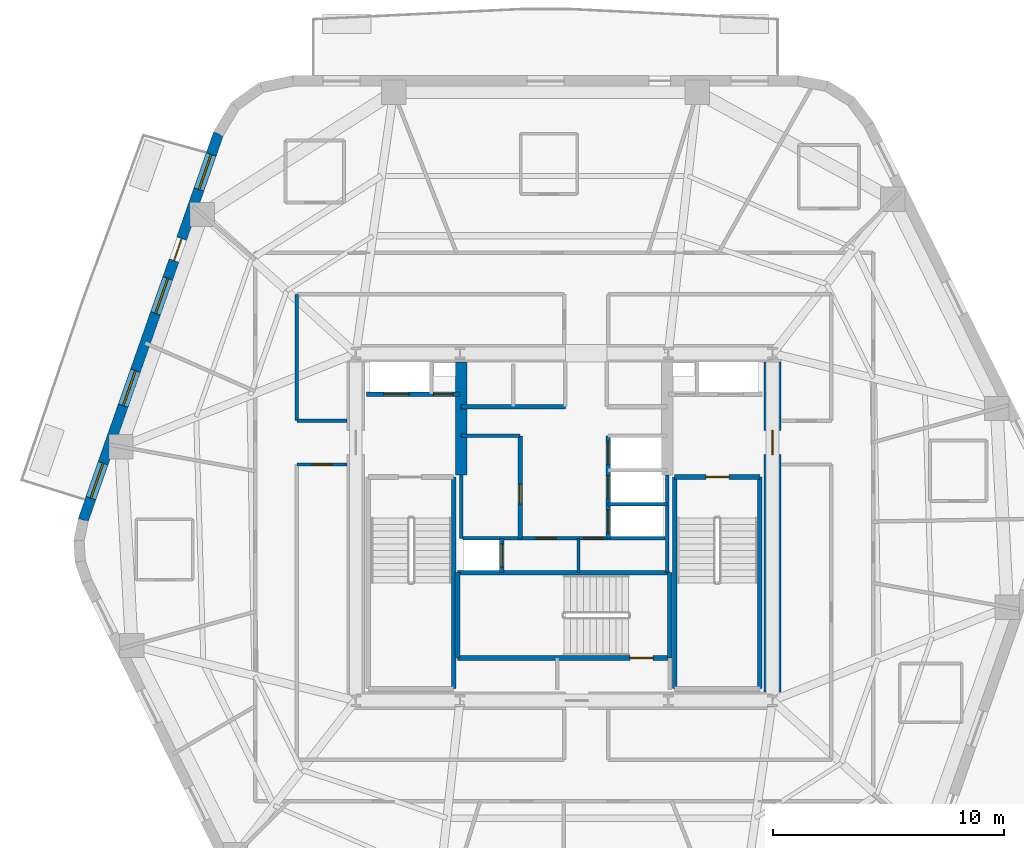
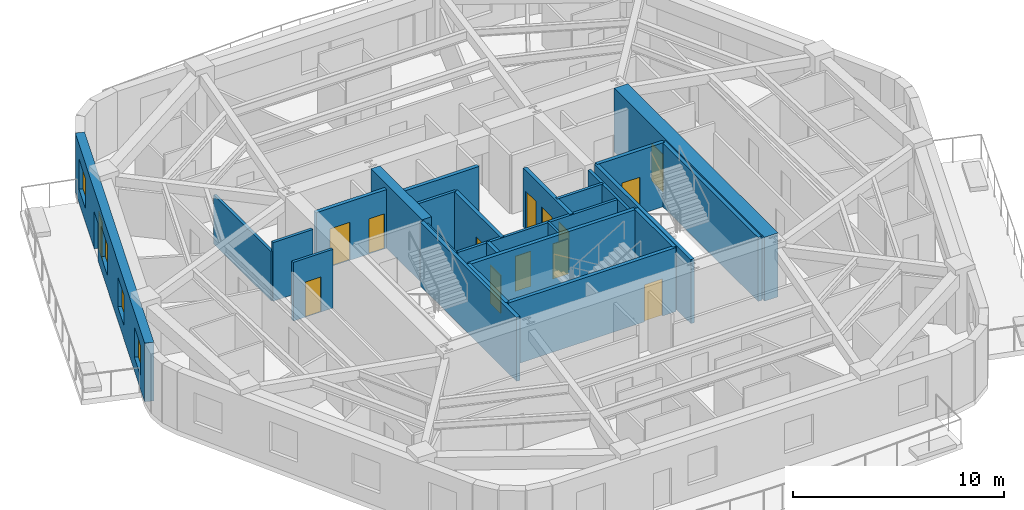
# One storey, part 4 of 11: 25 walls, 14 doors, 4 windows, 18 openings.
"""IFC4 building model written with IfcOpenShell, lengths in metres."""

from ifc_helpers import new_model, si_unit, direction, frame, frame_2d, origin, place, context, subcontext, project, spatial, rectangle, extrude, material, layer, layer_set, type_object, element, fill, save


model = new_model("IFC4")

# Units and contexts
model_context = context("Model", 3, precision=1e-05, world=origin(), true_north=direction((0.0, 1.0)))
body_context = subcontext(model_context, "Body", "Model", "MODEL_VIEW")
ifc_project = project(units=[si_unit("LENGTHUNIT", "METRE"), si_unit("AREAUNIT", "SQUARE_METRE"), si_unit("VOLUMEUNIT", "CUBIC_METRE"), si_unit("PLANEANGLEUNIT", "RADIAN"), si_unit("MASSUNIT", "GRAM", prefix="KILO")], contexts=[model_context])

# Site, building, storey
site_placement = place(None, origin())
site = spatial("IfcSite", under=ifc_project, at=site_placement, CompositionType="ELEMENT")
building_placement = place(site_placement, origin())
building = spatial("IfcBuilding", under=site, at=building_placement, Name="Kilnhurst Terrace Hotel", CompositionType="ELEMENT")
storey_placement = place(building_placement, frame((0.0, 0.0, 194.10009765625)))
storey = spatial("IfcBuildingStorey", under=building, at=storey_placement, Name="L48", CompositionType="ELEMENT", Elevation=194.10009765625)

# Wall, openings, door, windows
ifc_material_1 = material(Name="Precast concrete C40/50", Category="concrete")
ifc_layer_1 = layer(ifc_material_1, 0.449951171875, Name="Precast concrete C40/50")
ifc_layer_set_1 = layer_set([ifc_layer_1], Name="Precast concrete C40/50")
wall_type_1 = type_object("IfcWallType", Name="WL-BRK-450", PredefinedType="SOLIDWALL", material=ifc_layer_set_1)
wall_1_placement = place(storey_placement, frame((-14.936767578125, 16.993408203125, 0.0), z_axis=(0.0, 0.0, 1.0), x_axis=(-0.330431575061, -0.943829949834, 0.0)))
wall_1 = element("IfcWall", 1, at=wall_1_placement, inside=storey, type_object=wall_type_1, Name="L48 Exterior Brick Facade Wall F5", PredefinedType="SOLIDWALL", context=body_context, shape_type="SweptSolid", body=[
    extrude(rectangle(XDim=17.68896484375, YDim=0.449951171875, at=frame_2d((8.844482421875, 0.0))), origin(), (0.0, 0.0, 1.0), 3.39990234375),
])
opening_1_placement = place(wall_1_placement, frame((4.806884765625, 0.0, 0.0)))
opening_1 = element("IfcOpeningElement", 2, at=opening_1_placement, cuts=wall_1, Name="Opening BD-1000", PredefinedType="OPENING", context=body_context, shape_type="SweptSolid", body=[
    extrude(rectangle(XDim=1.0, YDim=2.14990234375, at=frame_2d((0.5, 1.074951171875))), frame((0.0, 0.23486328125, 0.0), z_axis=(0.0, -1.0, 0.0), x_axis=(1.0, 0.0, 0.0)), (0.0, 0.0, 1.0), 0.469970703125),
])
opening_2_placement = place(wall_1_placement, frame((0.949951171875, 0.0, 0.800048828125)))
opening_2 = element("IfcOpeningElement", 3, at=opening_2_placement, cuts=wall_1, Name="Opening W-05", PredefinedType="OPENING", context=body_context, shape_type="SweptSolid", body=[
    extrude(rectangle(XDim=1.60009765625, YDim=1.75, at=frame_2d((0.800048828125, 0.875))), frame((0.0, 0.23486328125, 0.0), z_axis=(0.0, -1.0, 0.0), x_axis=(1.0, 0.0, 0.0)), (0.0, 0.0, 1.0), 0.469970703125),
])
opening_3_placement = place(wall_1_placement, frame((6.623046875, 0.0, 0.800048828125)))
opening_3 = element("IfcOpeningElement", 4, at=opening_3_placement, cuts=wall_1, Name="Opening W-05", PredefinedType="OPENING", context=body_context, shape_type="SweptSolid", body=[
    extrude(rectangle(XDim=1.60009765625, YDim=1.75, at=frame_2d((0.800048828125, 0.875))), frame((0.0, 0.23486328125, 0.0), z_axis=(0.0, -1.0, 0.0), x_axis=(1.0, 0.0, 0.0)), (0.0, 0.0, 1.0), 0.469970703125),
])
opening_4_placement = place(wall_1_placement, frame((10.84912109375, 0.0, 0.800048828125)))
opening_4 = element("IfcOpeningElement", 5, at=opening_4_placement, cuts=wall_1, Name="Opening W-05", PredefinedType="OPENING", context=body_context, shape_type="SweptSolid", body=[
    extrude(rectangle(XDim=1.60009765625, YDim=1.75, at=frame_2d((0.800048828125, 0.875))), frame((0.0, 0.23486328125, 0.0), z_axis=(0.0, -1.0, 0.0), x_axis=(1.0, 0.0, 0.0)), (0.0, 0.0, 1.0), 0.469970703125),
])
opening_5_placement = place(wall_1_placement, frame((15.083984375, 0.0, 0.800048828125)))
opening_5 = element("IfcOpeningElement", 6, at=opening_5_placement, cuts=wall_1, Name="Opening W-05", PredefinedType="OPENING", context=body_context, shape_type="SweptSolid", body=[
    extrude(rectangle(XDim=1.60009765625, YDim=1.75, at=frame_2d((0.800048828125, 0.875))), frame((0.0, 0.23486328125, 0.0), z_axis=(0.0, -1.0, 0.0), x_axis=(1.0, 0.0, 0.0)), (0.0, 0.0, 1.0), 0.469970703125),
])
ifc_material_2 = material(Name="Thermally Broken Bronze Aluminium Alloy 6063-T6 and Laminated Glass", Category="aluminium")
door_type_1 = type_object("IfcDoorType", Name="DR-EXT-BAL-1000", OperationType="NOTDEFINED", PredefinedType="DOOR", material=ifc_material_2)
door_1_placement = place(opening_1_placement, origin())
door_1 = element("IfcDoor", 7, at=door_1_placement, inside=storey, type_object=door_type_1, Name="L48 Planted Balcony Door BAL-L2B", OperationType="SINGLE_SWING_LEFT", OverallHeight=2.14990234375, OverallWidth=1.0, PredefinedType="DOOR", context=body_context, shape_type="SweptSolid", body=[
    extrude(rectangle(XDim=1.0, YDim=2.14990234375, at=frame_2d((0.5, 1.074951171875))), frame((0.0, 0.02490234375, 0.0), z_axis=(0.0, -1.0, 0.0), x_axis=(1.0, 0.0, 0.0)), (0.0, 0.0, 1.0), 0.050048828125),
])
fill(opening_1, door_1)
ifc_material_3 = material(Name="Thermally Broken Bronze Aluminium Alloy 6063-T6 and Low-E Glass", Category="aluminium")
window_type = type_object("IfcWindowType", Name="WIN-1600X1750", PartitioningType="SINGLE_PANEL", PredefinedType="WINDOW", material=ifc_material_3)
window_1_placement = place(opening_2_placement, origin())
window_1 = element("IfcWindow", 8, at=window_1_placement, inside=storey, type_object=window_type, Name="L48 Deep-Set Masonry Window F5.1", OverallHeight=1.75, OverallWidth=1.60009765625, PartitioningType="SINGLE_PANEL", PredefinedType="WINDOW", context=body_context, shape_type="SweptSolid", body=[
    extrude(rectangle(XDim=1.60009765625, YDim=1.75, at=frame_2d((0.800048828125, 0.875))), frame((0.0, 0.030029296875, 0.0), z_axis=(0.0, -1.0, 0.0), x_axis=(1.0, 0.0, 0.0)), (0.0, 0.0, 1.0), 0.06005859375),
])
fill(opening_2, window_1)
window_2_placement = place(opening_3_placement, origin())
window_2 = element("IfcWindow", 9, at=window_2_placement, inside=storey, type_object=window_type, Name="L48 Deep-Set Masonry Window F5.2", OverallHeight=1.75, OverallWidth=1.60009765625, PartitioningType="SINGLE_PANEL", PredefinedType="WINDOW", context=body_context, shape_type="SweptSolid", body=[
    extrude(rectangle(XDim=1.60009765625, YDim=1.75, at=frame_2d((0.800048828125, 0.875))), frame((0.0, 0.030029296875, 0.0), z_axis=(0.0, -1.0, 0.0), x_axis=(1.0, 0.0, 0.0)), (0.0, 0.0, 1.0), 0.06005859375),
])
fill(opening_3, window_2)
window_3_placement = place(opening_4_placement, origin())
window_3 = element("IfcWindow", 10, at=window_3_placement, inside=storey, type_object=window_type, Name="L48 Deep-Set Masonry Window F5.3", OverallHeight=1.75, OverallWidth=1.60009765625, PartitioningType="SINGLE_PANEL", PredefinedType="WINDOW", context=body_context, shape_type="SweptSolid", body=[
    extrude(rectangle(XDim=1.60009765625, YDim=1.75, at=frame_2d((0.800048828125, 0.875))), frame((0.0, 0.030029296875, 0.0), z_axis=(0.0, -1.0, 0.0), x_axis=(1.0, 0.0, 0.0)), (0.0, 0.0, 1.0), 0.06005859375),
])
fill(opening_4, window_3)
window_4_placement = place(opening_5_placement, origin())
window_4 = element("IfcWindow", 11, at=window_4_placement, inside=storey, type_object=window_type, Name="L48 Deep-Set Masonry Window F5.4", OverallHeight=1.75, OverallWidth=1.60009765625, PartitioningType="SINGLE_PANEL", PredefinedType="WINDOW", context=body_context, shape_type="SweptSolid", body=[
    extrude(rectangle(XDim=1.60009765625, YDim=1.75, at=frame_2d((0.800048828125, 0.875))), frame((0.0, 0.030029296875, 0.0), z_axis=(0.0, -1.0, 0.0), x_axis=(1.0, 0.0, 0.0)), (0.0, 0.0, 1.0), 0.06005859375),
])
fill(opening_5, window_4)

# Walls
ifc_material_4 = material(Name="Acoustic Double-Gypsum Corridor Partition Assembly")
ifc_layer_2 = layer(ifc_material_4, 0.14990234375, Name="Acoustic Double-Gypsum Corridor Partition Assembly")
ifc_layer_set_2 = layer_set([ifc_layer_2], Name="Acoustic Double-Gypsum Corridor Partition Assembly")
wall_type_2 = type_object("IfcWallType", Name="WL-COR-150", PredefinedType="PARTITIONING", material=ifc_layer_set_2)
wall_2_placement = place(storey_placement, frame((-11.550048828125, 10.050048828125, 0.0), z_axis=(0.0, 0.0, 1.0), x_axis=(0.0, -1.0, 0.0)))
element("IfcWall", 12, at=wall_2_placement, inside=storey, type_object=wall_type_2, Name="L48 Interior Wall WL-L48-COR-13", PredefinedType="PARTITIONING", context=body_context, shape_type="SweptSolid", body=[
    extrude(rectangle(XDim=5.449951171875, YDim=0.14990234375, at=frame_2d((2.72509765625, 0.0))), origin(), (0.0, 0.0, 1.0), 2.83984375),
])
wall_3_placement = place(storey_placement, frame((-11.550048828125, 4.60009765625, 0.0), z_axis=(0.0, 0.0, 1.0), x_axis=(1.0, 0.0, 0.0)))
element("IfcWall", 13, at=wall_3_placement, inside=storey, type_object=wall_type_2, Name="L48 Interior Wall WL-L48-COR-14", PredefinedType="PARTITIONING", context=body_context, shape_type="SweptSolid", body=[
    extrude(rectangle(XDim=2.175048828125, YDim=0.14990234375, at=frame_2d((1.08740234375, 0.0))), origin(), (0.0, 0.0, 1.0), 3.39990234375),
])

# Wall, opening, door
wall_4_placement = place(storey_placement, frame((-9.375, 2.699951171875, 0.0), z_axis=(0.0, 0.0, 1.0), x_axis=(-1.0, 0.0, 0.0)))
wall_4 = element("IfcWall", 14, at=wall_4_placement, inside=storey, type_object=wall_type_2, Name="L48 Interior Wall WL-L48-COR-15", PredefinedType="PARTITIONING", context=body_context, shape_type="SweptSolid", body=[
    extrude(rectangle(XDim=2.175048828125, YDim=0.14990234375, at=frame_2d((1.08740234375, 0.0))), origin(), (0.0, 0.0, 1.0), 3.39990234375),
])
opening_6_placement = place(wall_4_placement, frame((0.6630859375, 0.0, 0.0)))
opening_6 = element("IfcOpeningElement", 15, at=opening_6_placement, cuts=wall_4, Name="Opening D-60D", PredefinedType="OPENING", context=body_context, shape_type="SweptSolid", body=[
    extrude(rectangle(XDim=0.85009765625, YDim=2.030029296875, at=frame_2d((0.425048828125, 1.01513671875))), frame((0.0, 0.0849609375, 0.0), z_axis=(0.0, -1.0, 0.0), x_axis=(1.0, 0.0, 0.0)), (0.0, 0.0, 1.0), 0.169921875),
])
ifc_material_5 = material(Name="Painted Hollow Metal Steel ASTM A36 Riser Door", Category="steel")
door_type_2 = type_object("IfcDoorType", Name="DR-FD60-850", OperationType="NOTDEFINED", PredefinedType="DOOR", material=ifc_material_5)
door_2_placement = place(opening_6_placement, origin())
door_2 = element("IfcDoor", 16, at=door_2_placement, inside=storey, type_object=door_type_2, Name="L48 Floor Linen Storage Room Door", OperationType="SINGLE_SWING_LEFT", OverallHeight=2.030029296875, OverallWidth=0.85009765625, PredefinedType="DOOR", context=body_context, shape_type="SweptSolid", body=[
    extrude(rectangle(XDim=0.85009765625, YDim=2.030029296875, at=frame_2d((0.425048828125, 1.01513671875))), frame((0.0, 0.02490234375, 0.0), z_axis=(0.0, -1.0, 0.0), x_axis=(1.0, 0.0, 0.0)), (0.0, 0.0, 1.0), 0.050048828125),
])
fill(opening_6, door_2)

ifc_material_6 = material(Name="Concrete C60/75", Category="concrete")
ifc_layer_3 = layer(ifc_material_6, 0.75, Name="Concrete C60/75")
ifc_layer_set_3 = layer_set([ifc_layer_3], Name="Concrete C60/75")
wall_type_3 = type_object("IfcWallType", Name="WL-CORE-750", PredefinedType="SHEAR", material=ifc_layer_set_3)
wall_5_placement = place(storey_placement, frame((9.0, -7.125, 0.0), z_axis=(0.0, 0.0, 1.0), x_axis=(0.0, 1.0, 0.0)))
wall_5 = element("IfcWall", 17, at=wall_5_placement, inside=storey, type_object=wall_type_3, Name="L48 Core East Shear Wall", PredefinedType="SHEAR", context=body_context, shape_type="SweptSolid", body=[
    extrude(rectangle(XDim=14.25, YDim=0.75, at=frame_2d((7.125, 0.0))), origin(), (0.0, 0.0, 1.0), 3.699951171875),
])
opening_7_placement = place(wall_5_placement, frame((10.25, 0.0, 0.0)))
opening_7 = element("IfcOpeningElement", 18, at=opening_7_placement, cuts=wall_5, Name="Opening D-90A", PredefinedType="OPENING", context=body_context, shape_type="SweptSolid", body=[
    extrude(rectangle(XDim=1.050048828125, YDim=2.14990234375, at=frame_2d((0.52490234375, 1.074951171875))), frame((0.0, 0.385009765625, 0.0), z_axis=(0.0, -1.0, 0.0), x_axis=(1.0, 0.0, 0.0)), (0.0, 0.0, 1.0), 0.77001953125),
])
ifc_material_7 = material(Name="Painted Hollow Metal Steel ASTM A36 Fire Door", Category="steel")
door_type_3 = type_object("IfcDoorType", Name="DR-FD90-1050", OperationType="NOTDEFINED", PredefinedType="DOOR", material=ifc_material_7)
door_3_placement = place(opening_7_placement, origin())
door_3 = element("IfcDoor", 19, at=door_3_placement, inside=storey, type_object=door_type_3, Name="L48 East Firefighting Lobby Door", OperationType="SINGLE_SWING_LEFT", OverallHeight=2.14990234375, OverallWidth=1.050048828125, PredefinedType="DOOR", context=body_context, shape_type="SweptSolid", body=[
    extrude(rectangle(XDim=1.050048828125, YDim=2.14990234375, at=frame_2d((0.52490234375, 1.074951171875))), frame((0.0, 0.02490234375, 0.0), z_axis=(0.0, -1.0, 0.0), x_axis=(1.0, 0.0, 0.0)), (0.0, 0.0, 1.0), 0.050048828125),
])
fill(opening_7, door_3)

# Walls
ifc_layer_4 = layer(ifc_material_6, 0.5, Name="Concrete C60/75")
ifc_layer_set_4 = layer_set([ifc_layer_4], Name="Concrete C60/75")
wall_type_4 = type_object("IfcWallType", Name="WL-CORE-WEB-500", PredefinedType="SHEAR", material=ifc_layer_set_4)
wall_6_placement = place(storey_placement, frame((-4.449951171875, 2.25, 0.0), z_axis=(0.0, 0.0, 1.0), x_axis=(0.0, 1.0, 0.0)))
element("IfcWall", 20, at=wall_6_placement, inside=storey, type_object=wall_type_4, Name="L48 Core Internal West Shear Web", PredefinedType="SHEAR", context=body_context, shape_type="SweptSolid", body=[
    extrude(rectangle(XDim=4.875, YDim=0.5, at=frame_2d((2.4375, 0.0))), origin(), (0.0, 0.0, 1.0), 3.699951171875),
])
ifc_material_8 = material(Name="120 mm Moisture-Resistant Tile-Backed Bathroom Partition")
ifc_layer_5 = layer(ifc_material_8, 0.1201171875, Name="120 mm Moisture-Resistant Tile-Backed Bathroom Partition")
ifc_layer_set_5 = layer_set([ifc_layer_5], Name="120 mm Moisture-Resistant Tile-Backed Bathroom Partition")
wall_type_5 = type_object("IfcWallType", Name="WL-PART-120", PredefinedType="PARTITIONING", material=ifc_layer_set_5)
wall_7_placement = place(storey_placement, frame((0.6201171875, -1.971923828125, 0.0), z_axis=(0.0, 0.0, 1.0), x_axis=(0.0, 1.0, 0.0)))
element("IfcWall", 21, at=wall_7_placement, inside=storey, type_object=wall_type_5, Name="L48 Interior Wall WL-L48-BOH-C1", PredefinedType="PARTITIONING", context=body_context, shape_type="SweptSolid", body=[
    extrude(rectangle(XDim=1.471923828125, YDim=0.1201171875, at=frame_2d((0.73583984375, 0.0))), origin(), (0.0, 0.0, 1.0), 3.39990234375),
])
ifc_material_9 = material(Name="Fire-Rated Gypsum Shaftliner Assembly")
ifc_layer_6 = layer(ifc_material_9, 0.14990234375, Name="Fire-Rated Gypsum Shaftliner Assembly")
ifc_layer_set_6 = layer_set([ifc_layer_6], Name="Fire-Rated Gypsum Shaftliner Assembly")
wall_type_6 = type_object("IfcWallType", Name="WL-SHAFT-150", PredefinedType="PARTITIONING", material=ifc_layer_set_6)
wall_8_placement = place(storey_placement, frame((-4.449951171875, -0.5, 0.0), z_axis=(0.0, 0.0, 1.0), x_axis=(0.0, 1.0, 0.0)))
element("IfcWall", 22, at=wall_8_placement, inside=storey, type_object=wall_type_6, Name="L48 Interior Wall WL-L48-XLOB-W", PredefinedType="PARTITIONING", context=body_context, shape_type="SweptSolid", body=[
    extrude(rectangle(XDim=2.75, YDim=0.14990234375, at=frame_2d((1.375, 0.0))), origin(), (0.0, 0.0, 1.0), 3.39990234375),
])
wall_9_placement = place(storey_placement, frame((4.449951171875, -1.971923828125, 0.0), z_axis=(0.0, 0.0, 1.0), x_axis=(0.0, 1.0, 0.0)))
element("IfcWall", 23, at=wall_9_placement, inside=storey, type_object=wall_type_6, Name="L48 Interior Wall WL-L48-XLOB-E", PredefinedType="PARTITIONING", context=body_context, shape_type="SweptSolid", body=[
    extrude(rectangle(XDim=4.221923828125, YDim=0.14990234375, at=frame_2d((2.11083984375, 0.0))), origin(), (0.0, 0.0, 1.0), 3.39990234375),
])
for number, where, z_axis, x_axis, name in (
    (24, (-4.449951171875, 3.93994140625, 0.0), (0.0, 0.0, 1.0), (1.0, 0.0, 0.0), "L48 Interior Wall WL-L48-LR-NORTH"),
    (25, (1.89990234375, 0.97998046875, 0.0), (0.0, 0.0, 1.0), (1.0, 0.0, 0.0), "L48 Interior Wall WL-L48-MR-D1"),
):
    element("IfcWall", number, at=place(storey_placement, frame(where, z_axis=z_axis, x_axis=x_axis)), inside=storey, type_object=wall_type_6, Name=name, PredefinedType="PARTITIONING", context=body_context, shape_type="SweptSolid", body=[
        extrude(rectangle(XDim=2.550048828125, YDim=0.14990234375, at=frame_2d((1.27490234375, 0.0))), origin(), (0.0, 0.0, 1.0), 3.39990234375),
    ])

# Wall, openings, doors
wall_10_placement = place(storey_placement, frame((-4.360107421875, -0.489990234375, 0.0), z_axis=(0.0, 0.0, 1.0), x_axis=(1.0, 0.0, 0.0)))
wall_10 = element("IfcWall", 26, at=wall_10_placement, inside=storey, type_object=wall_type_6, Name="L48 Interior Wall WL-L48-BOH-N", PredefinedType="PARTITIONING", context=body_context, shape_type="SweptSolid", body=[
    extrude(rectangle(XDim=8.72021484375, YDim=0.14990234375, at=frame_2d((4.360107421875, 0.0))), origin(), (0.0, 0.0, 1.0), 3.39990234375),
])
opening_8_placement = place(wall_10_placement, frame((3.159912109375, 0.0, 0.0)))
opening_8 = element("IfcOpeningElement", 27, at=opening_8_placement, cuts=wall_10, Name="Opening D-60D", PredefinedType="OPENING", context=body_context, shape_type="SweptSolid", body=[
    extrude(rectangle(XDim=0.85009765625, YDim=2.030029296875, at=frame_2d((0.425048828125, 1.01513671875))), frame((0.0, 0.0849609375, 0.0), z_axis=(0.0, -1.0, 0.0), x_axis=(1.0, 0.0, 0.0)), (0.0, 0.0, 1.0), 0.169921875),
])
opening_9_placement = place(wall_10_placement, frame((5.2099609375, 0.0, 0.0)))
opening_9 = element("IfcOpeningElement", 28, at=opening_9_placement, cuts=wall_10, Name="Opening D-60D", PredefinedType="OPENING", context=body_context, shape_type="SweptSolid", body=[
    extrude(rectangle(XDim=0.85009765625, YDim=2.030029296875, at=frame_2d((0.425048828125, 1.01513671875))), frame((0.0, 0.0849609375, 0.0), z_axis=(0.0, -1.0, 0.0), x_axis=(1.0, 0.0, 0.0)), (0.0, 0.0, 1.0), 0.169921875),
])
door_4_placement = place(opening_8_placement, origin())
door_4 = element("IfcDoor", 29, at=door_4_placement, inside=storey, type_object=door_type_2, Name="L48 Housekeeping Laundry Door", OperationType="SINGLE_SWING_LEFT", OverallHeight=2.030029296875, OverallWidth=0.85009765625, PredefinedType="DOOR", context=body_context, shape_type="SweptSolid", body=[
    extrude(rectangle(XDim=0.85009765625, YDim=2.030029296875, at=frame_2d((0.425048828125, 1.01513671875))), frame((0.0, 0.02490234375, 0.0), z_axis=(0.0, -1.0, 0.0), x_axis=(1.0, 0.0, 0.0)), (0.0, 0.0, 1.0), 0.050048828125),
])
fill(opening_8, door_4)
door_5_placement = place(opening_9_placement, origin())
door_5 = element("IfcDoor", 30, at=door_5_placement, inside=storey, type_object=door_type_2, Name="L48 Room Service Kitchen Door", OperationType="SINGLE_SWING_RIGHT", OverallHeight=2.030029296875, OverallWidth=0.85009765625, PredefinedType="DOOR", context=body_context, shape_type="SweptSolid", body=[
    extrude(rectangle(XDim=0.85009765625, YDim=2.030029296875, at=frame_2d((0.425048828125, 1.01513671875))), frame((0.0, 0.02490234375, 0.0), z_axis=(0.0, -1.0, 0.0), x_axis=(1.0, 0.0, 0.0)), (0.0, 0.0, 1.0), 0.050048828125),
])
fill(opening_9, door_5)

ifc_material_10 = material(Name="Autoclaved Aerated Concrete C30/37 and Gypsum Shaft Assembly", Category="concrete")
ifc_layer_7 = layer(ifc_material_10, 0.199951171875, Name="Autoclaved Aerated Concrete C30/37 and Gypsum Shaft Assembly")
ifc_layer_set_7 = layer_set([ifc_layer_7], Name="Autoclaved Aerated Concrete C30/37 and Gypsum Shaft Assembly")
wall_type_7 = type_object("IfcWallType", Name="WL-SHAFT-200", PredefinedType="PARTITIONING", material=ifc_layer_set_7)
wall_11_placement = place(storey_placement, frame((-8.550048828125, 5.739990234375, 0.0), z_axis=(0.0, 0.0, 1.0), x_axis=(1.0, 0.0, 0.0)))
wall_11 = element("IfcWall", 31, at=wall_11_placement, inside=storey, type_object=wall_type_7, Name="L48 Interior Wall WL-L48-FSAE1-S", PredefinedType="PARTITIONING", context=body_context, shape_type="SweptSolid", body=[
    extrude(rectangle(XDim=4.050048828125, YDim=0.199951171875, at=frame_2d((2.02490234375, 0.0))), origin(), (0.0, 0.0, 1.0), 3.39990234375),
])
opening_10_placement = place(wall_11_placement, frame((0.75, 0.0, 0.0)))
opening_10 = element("IfcOpeningElement", 32, at=opening_10_placement, cuts=wall_11, Name="Opening LD-F1", PredefinedType="OPENING", context=body_context, shape_type="SweptSolid", body=[
    extrude(rectangle(XDim=1.10009765625, YDim=2.199951171875, at=frame_2d((0.550048828125, 1.10009765625))), frame((0.0, 0.10986328125, 0.0), z_axis=(0.0, -1.0, 0.0), x_axis=(1.0, 0.0, 0.0)), (0.0, 0.0, 1.0), 0.219970703125),
])
opening_11_placement = place(wall_11_placement, frame((2.89990234375, 0.0, 0.0)))
opening_11 = element("IfcOpeningElement", 33, at=opening_11_placement, cuts=wall_11, Name="Opening D-60D", PredefinedType="OPENING", context=body_context, shape_type="SweptSolid", body=[
    extrude(rectangle(XDim=0.85009765625, YDim=2.030029296875, at=frame_2d((0.425048828125, 1.01513671875))), frame((0.0, 0.10986328125, 0.0), z_axis=(0.0, -1.0, 0.0), x_axis=(1.0, 0.0, 0.0)), (0.0, 0.0, 1.0), 0.219970703125),
])
door_6_placement = place(opening_11_placement, origin())
door_6 = element("IfcDoor", 34, at=door_6_placement, inside=storey, type_object=door_type_2, Name="L48 Electrical Riser Door", OperationType="SINGLE_SWING_LEFT", OverallHeight=2.030029296875, OverallWidth=0.85009765625, PredefinedType="DOOR", context=body_context, shape_type="SweptSolid", body=[
    extrude(rectangle(XDim=0.85009765625, YDim=2.030029296875, at=frame_2d((0.425048828125, 1.01513671875))), frame((0.0, 0.02490234375, 0.0), z_axis=(0.0, -1.0, 0.0), x_axis=(1.0, 0.0, 0.0)), (0.0, 0.0, 1.0), 0.050048828125),
])
fill(opening_11, door_6)
ifc_material_11 = material(Name="Bronze-Anodized Stainless Steel AISI 316L Sliding Door", Category="steel")
door_type_4 = type_object("IfcDoorType", Name="DR-LIFT-1100", OperationType="NOTDEFINED", PredefinedType="DOOR", material=ifc_material_11)
door_7_placement = place(opening_10_placement, origin())
door_7 = element("IfcDoor", 35, at=door_7_placement, inside=storey, type_object=door_type_4, Name="L48 FSAE-1 Landing Door", OperationType="SLIDING_TO_LEFT", OverallHeight=2.199951171875, OverallWidth=1.10009765625, PredefinedType="DOOR", context=body_context, shape_type="SweptSolid", body=[
    extrude(rectangle(XDim=1.10009765625, YDim=2.199951171875, at=frame_2d((0.550048828125, 1.10009765625))), frame((0.0, 0.02490234375, 0.0), z_axis=(0.0, -1.0, 0.0), x_axis=(1.0, 0.0, 0.0)), (0.0, 0.0, 1.0), 0.050048828125),
])
fill(opening_10, door_7)

# Wall, opening, door
wall_12_placement = place(storey_placement, frame((-2.699951171875, -1.971923828125, 0.0), z_axis=(0.0, 0.0, 1.0), x_axis=(0.0, 1.0, 0.0)))
wall_12 = element("IfcWall", 36, at=wall_12_placement, inside=storey, type_object=wall_type_7, Name="L48 Interior Wall WL-L48-SRV1-E", PredefinedType="PARTITIONING", context=body_context, shape_type="SweptSolid", body=[
    extrude(rectangle(XDim=1.471923828125, YDim=0.199951171875, at=frame_2d((0.73583984375, 0.0))), origin(), (0.0, 0.0, 1.0), 3.39990234375),
])
opening_12_placement = place(wall_12_placement, frame((0.239990234375, 0.0, 0.0)))
opening_12 = element("IfcOpeningElement", 37, at=opening_12_placement, cuts=wall_12, Name="Opening LD-SV", PredefinedType="OPENING", context=body_context, shape_type="SweptSolid", body=[
    extrude(rectangle(XDim=1.0, YDim=2.199951171875, at=frame_2d((0.5, 1.10009765625))), frame((0.0, 0.10986328125, 0.0), z_axis=(0.0, -1.0, 0.0), x_axis=(1.0, 0.0, 0.0)), (0.0, 0.0, 1.0), 0.219970703125),
])
door_type_5 = type_object("IfcDoorType", Name="DR-LIFT-1000", OperationType="NOTDEFINED", PredefinedType="DOOR", material=ifc_material_11)
door_8_placement = place(opening_12_placement, origin())
door_8 = element("IfcDoor", 38, at=door_8_placement, inside=storey, type_object=door_type_5, Name="L48 Service Lift SRV-1 Landing Door", OperationType="SLIDING_TO_LEFT", OverallHeight=2.199951171875, OverallWidth=1.0, PredefinedType="DOOR", context=body_context, shape_type="SweptSolid", body=[
    extrude(rectangle(XDim=1.0, YDim=2.199951171875, at=frame_2d((0.5, 1.10009765625))), frame((0.0, 0.02490234375, 0.0), z_axis=(0.0, -1.0, 0.0), x_axis=(1.0, 0.0, 0.0)), (0.0, 0.0, 1.0), 0.050048828125),
])
fill(opening_12, door_8)

# Wall
wall_13_placement = place(storey_placement, frame((-4.449951171875, 5.199951171875, 0.0), z_axis=(0.0, 0.0, 1.0), x_axis=(1.0, 0.0, 0.0)))
element("IfcWall", 39, at=wall_13_placement, inside=storey, type_object=wall_type_7, Name="L48 Interior Wall WL-L48-HR-SW", PredefinedType="PARTITIONING", context=body_context, shape_type="SweptSolid", body=[
    extrude(rectangle(XDim=4.5, YDim=0.199951171875, at=frame_2d((2.25, 0.0))), origin(), (0.0, 0.0, 1.0), 3.39990234375),
])

# Wall, opening, door
wall_14_placement = place(storey_placement, frame((-1.89990234375, -0.5, 0.0), z_axis=(0.0, 0.0, 1.0), x_axis=(0.0, 1.0, 0.0)))
wall_14 = element("IfcWall", 40, at=wall_14_placement, inside=storey, type_object=wall_type_7, Name="L48 Interior Wall WL-L48-LR-FRONT", PredefinedType="PARTITIONING", context=body_context, shape_type="SweptSolid", body=[
    extrude(rectangle(XDim=4.43994140625, YDim=0.199951171875, at=frame_2d((2.219970703125, 0.0))), origin(), (0.0, 0.0, 1.0), 3.39990234375),
])
opening_13_placement = place(wall_14_placement, frame((1.5, 0.0, 0.0)))
opening_13 = element("IfcOpeningElement", 41, at=opening_13_placement, cuts=wall_14, Name="Opening D-60D", PredefinedType="OPENING", context=body_context, shape_type="SweptSolid", body=[
    extrude(rectangle(XDim=0.85009765625, YDim=2.030029296875, at=frame_2d((0.425048828125, 1.01513671875))), frame((0.0, 0.10986328125, 0.0), z_axis=(0.0, -1.0, 0.0), x_axis=(1.0, 0.0, 0.0)), (0.0, 0.0, 1.0), 0.219970703125),
])
door_9_placement = place(opening_13_placement, origin())
door_9 = element("IfcDoor", 42, at=door_9_placement, inside=storey, type_object=door_type_2, Name="L48 Reclaimed Linen Room Door", OperationType="SINGLE_SWING_LEFT", OverallHeight=2.030029296875, OverallWidth=0.85009765625, PredefinedType="DOOR", context=body_context, shape_type="SweptSolid", body=[
    extrude(rectangle(XDim=0.85009765625, YDim=2.030029296875, at=frame_2d((0.425048828125, 1.01513671875))), frame((0.0, 0.02490234375, 0.0), z_axis=(0.0, -1.0, 0.0), x_axis=(1.0, 0.0, 0.0)), (0.0, 0.0, 1.0), 0.050048828125),
])
fill(opening_13, door_9)

# Wall, openings, doors
wall_15_placement = place(storey_placement, frame((1.89990234375, -0.5, 0.0), z_axis=(0.0, 0.0, 1.0), x_axis=(0.0, 1.0, 0.0)))
wall_15 = element("IfcWall", 43, at=wall_15_placement, inside=storey, type_object=wall_type_7, Name="L48 Interior Wall WL-L48-MR-FRONT", PredefinedType="PARTITIONING", context=body_context, shape_type="SweptSolid", body=[
    extrude(rectangle(XDim=4.43994140625, YDim=0.199951171875, at=frame_2d((2.219970703125, 0.0))), origin(), (0.0, 0.0, 1.0), 3.39990234375),
])
opening_14_placement = place(wall_15_placement, frame((0.239990234375, 0.0, 0.0)))
opening_14 = element("IfcOpeningElement", 44, at=opening_14_placement, cuts=wall_15, Name="Opening LD-MR", PredefinedType="OPENING", context=body_context, shape_type="SweptSolid", body=[
    extrude(rectangle(XDim=1.0, YDim=2.199951171875, at=frame_2d((0.5, 1.10009765625))), frame((0.0, 0.10986328125, 0.0), z_axis=(0.0, -1.0, 0.0), x_axis=(1.0, 0.0, 0.0)), (0.0, 0.0, 1.0), 0.219970703125),
])
opening_15_placement = place(wall_15_placement, frame((1.719970703125, 0.0, 0.0)))
opening_15 = element("IfcOpeningElement", 45, at=opening_15_placement, cuts=wall_15, Name="Opening LD-MR", PredefinedType="OPENING", context=body_context, shape_type="SweptSolid", body=[
    extrude(rectangle(XDim=1.0, YDim=2.199951171875, at=frame_2d((0.5, 1.10009765625))), frame((0.0, 0.10986328125, 0.0), z_axis=(0.0, -1.0, 0.0), x_axis=(1.0, 0.0, 0.0)), (0.0, 0.0, 1.0), 0.219970703125),
])
opening_16_placement = place(wall_15_placement, frame((3.199951171875, 0.0, 0.0)))
opening_16 = element("IfcOpeningElement", 46, at=opening_16_placement, cuts=wall_15, Name="Opening LD-MR", PredefinedType="OPENING", context=body_context, shape_type="SweptSolid", body=[
    extrude(rectangle(XDim=1.0, YDim=2.199951171875, at=frame_2d((0.5, 1.10009765625))), frame((0.0, 0.10986328125, 0.0), z_axis=(0.0, -1.0, 0.0), x_axis=(1.0, 0.0, 0.0)), (0.0, 0.0, 1.0), 0.219970703125),
])
door_10_placement = place(opening_14_placement, origin())
door_10 = element("IfcDoor", 47, at=door_10_placement, inside=storey, type_object=door_type_5, Name="L48 Mid Rise Lift MR-1 Landing Door", OperationType="SLIDING_TO_RIGHT", OverallHeight=2.199951171875, OverallWidth=1.0, PredefinedType="DOOR", context=body_context, shape_type="SweptSolid", body=[
    extrude(rectangle(XDim=1.0, YDim=2.199951171875, at=frame_2d((0.5, 1.10009765625))), frame((0.0, 0.02490234375, 0.0), z_axis=(0.0, -1.0, 0.0), x_axis=(1.0, 0.0, 0.0)), (0.0, 0.0, 1.0), 0.050048828125),
])
fill(opening_14, door_10)
door_11_placement = place(opening_15_placement, origin())
door_11 = element("IfcDoor", 48, at=door_11_placement, inside=storey, type_object=door_type_5, Name="L48 Mid Rise Lift MR-2 Landing Door", OperationType="SLIDING_TO_RIGHT", OverallHeight=2.199951171875, OverallWidth=1.0, PredefinedType="DOOR", context=body_context, shape_type="SweptSolid", body=[
    extrude(rectangle(XDim=1.0, YDim=2.199951171875, at=frame_2d((0.5, 1.10009765625))), frame((0.0, 0.02490234375, 0.0), z_axis=(0.0, -1.0, 0.0), x_axis=(1.0, 0.0, 0.0)), (0.0, 0.0, 1.0), 0.050048828125),
])
fill(opening_15, door_11)
door_12_placement = place(opening_16_placement, origin())
door_12 = element("IfcDoor", 49, at=door_12_placement, inside=storey, type_object=door_type_5, Name="L48 Mid Rise Lift MR-3 Landing Door", OperationType="SLIDING_TO_RIGHT", OverallHeight=2.199951171875, OverallWidth=1.0, PredefinedType="DOOR", context=body_context, shape_type="SweptSolid", body=[
    extrude(rectangle(XDim=1.0, YDim=2.199951171875, at=frame_2d((0.5, 1.10009765625))), frame((0.0, 0.02490234375, 0.0), z_axis=(0.0, -1.0, 0.0), x_axis=(1.0, 0.0, 0.0)), (0.0, 0.0, 1.0), 0.050048828125),
])
fill(opening_16, door_12)

# Walls
ifc_material_12 = material(Name="Concrete C50/60", Category="concrete")
ifc_layer_8 = layer(ifc_material_12, 0.199951171875, Name="Concrete C50/60")
ifc_layer_set_8 = layer_set([ifc_layer_8], Name="Concrete C50/60")
wall_type_8 = type_object("IfcWallType", Name="WL-STAIR-RC-200", PredefinedType="SHEAR", material=ifc_layer_set_8)
for number, where, z_axis, x_axis, name in (
    (50, (-4.77197265625, -6.985107421875, 0.0), (0.0, 0.0, 1.0), (0.0, 1.0, 0.0), "L48 Structural Stair Shaft Wall WL-L48-ST1-E"),
    (51, (4.77197265625, -6.985107421875, 0.0), (0.0, 0.0, 1.0), (0.0, 1.0, 0.0), "L48 Structural Stair Shaft Wall WL-L48-ST2-W"),
    (52, (8.4580078125, -6.985107421875, 0.0), (0.0, 0.0, 1.0), (0.0, 1.0, 0.0), "L48 Structural Stair Shaft Wall WL-L48-ST2-E"),
):
    element("IfcWall", number, at=place(storey_placement, frame(where, z_axis=z_axis, x_axis=x_axis)), inside=storey, type_object=wall_type_8, Name=name, PredefinedType="SHEAR", context=body_context, shape_type="SweptSolid", body=[
        extrude(rectangle(XDim=9.14306640625, YDim=0.199951171875, at=frame_2d((4.571533203125, 0.0))), origin(), (0.0, 0.0, 1.0), 3.699951171875),
    ])

# Wall, opening, door
wall_16_placement = place(storey_placement, frame((4.77197265625, 2.157958984375, 0.0), z_axis=(0.0, 0.0, 1.0), x_axis=(1.0, 0.0, 0.0)))
wall_16 = element("IfcWall", 53, at=wall_16_placement, inside=storey, type_object=wall_type_8, Name="L48 Structural Stair Shaft Wall WL-L48-ST2-N", PredefinedType="SHEAR", context=body_context, shape_type="SweptSolid", body=[
    extrude(rectangle(XDim=3.68603515625, YDim=0.199951171875, at=frame_2d((1.843017578125, 0.0))), origin(), (0.0, 0.0, 1.0), 3.699951171875),
])
opening_17_placement = place(wall_16_placement, frame((1.35009765625, 0.0, 0.0)))
opening_17 = element("IfcOpeningElement", 54, at=opening_17_placement, cuts=wall_16, Name="Opening D-90B", PredefinedType="OPENING", context=body_context, shape_type="SweptSolid", body=[
    extrude(rectangle(XDim=1.0, YDim=2.14990234375, at=frame_2d((0.5, 1.074951171875))), frame((0.0, 0.10986328125, 0.0), z_axis=(0.0, -1.0, 0.0), x_axis=(1.0, 0.0, 0.0)), (0.0, 0.0, 1.0), 0.219970703125),
])
door_type_6 = type_object("IfcDoorType", Name="DR-FD90-1000", OperationType="NOTDEFINED", PredefinedType="DOOR", material=ifc_material_7)
door_13_placement = place(opening_17_placement, origin())
door_13 = element("IfcDoor", 55, at=door_13_placement, inside=storey, type_object=door_type_6, Name="L48 Stair ST-2 Door", OperationType="SINGLE_SWING_RIGHT", OverallHeight=2.14990234375, OverallWidth=1.0, PredefinedType="DOOR", context=body_context, shape_type="SweptSolid", body=[
    extrude(rectangle(XDim=1.0, YDim=2.14990234375, at=frame_2d((0.5, 1.074951171875))), frame((0.0, 0.02490234375, 0.0), z_axis=(0.0, -1.0, 0.0), x_axis=(1.0, 0.0, 0.0)), (0.0, 0.0, 1.0), 0.050048828125),
])
fill(opening_17, door_13)

# Wall
wall_17_placement = place(storey_placement, frame((-4.60791015625, -5.657958984375, 0.0), z_axis=(0.0, 0.0, 1.0), x_axis=(0.0, 1.0, 0.0)))
element("IfcWall", 56, at=wall_17_placement, inside=storey, type_object=wall_type_8, Name="L48 Structural Stair Shaft Wall WL-L48-ST3-W", PredefinedType="SHEAR", context=body_context, shape_type="SweptSolid", body=[
    extrude(rectangle(XDim=3.68603515625, YDim=0.199951171875, at=frame_2d((1.843017578125, 0.0))), origin(), (0.0, 0.0, 1.0), 3.699951171875),
])

# Wall, opening, door
wall_18_placement = place(storey_placement, frame((-4.60791015625, -5.657958984375, 0.0), z_axis=(0.0, 0.0, 1.0), x_axis=(1.0, 0.0, 0.0)))
wall_18 = element("IfcWall", 57, at=wall_18_placement, inside=storey, type_object=wall_type_8, Name="L48 Structural Stair Shaft Wall WL-L48-ST3-S", PredefinedType="SHEAR", context=body_context, shape_type="SweptSolid", body=[
    extrude(rectangle(XDim=9.166015625, YDim=0.199951171875, at=frame_2d((4.5830078125, 0.0))), origin(), (0.0, 0.0, 1.0), 3.699951171875),
])
opening_18_placement = place(wall_18_placement, frame((7.449951171875, 0.0, 0.0)))
opening_18 = element("IfcOpeningElement", 58, at=opening_18_placement, cuts=wall_18, Name="Opening D-90B", PredefinedType="OPENING", context=body_context, shape_type="SweptSolid", body=[
    extrude(rectangle(XDim=1.0, YDim=2.14990234375, at=frame_2d((0.5, 1.074951171875))), frame((0.0, 0.10986328125, 0.0), z_axis=(0.0, -1.0, 0.0), x_axis=(1.0, 0.0, 0.0)), (0.0, 0.0, 1.0), 0.219970703125),
])
door_14_placement = place(opening_18_placement, origin())
door_14 = element("IfcDoor", 59, at=door_14_placement, inside=storey, type_object=door_type_6, Name="L48 Stair ST-3 Shaft Door", OperationType="SINGLE_SWING_LEFT", OverallHeight=2.14990234375, OverallWidth=1.0, PredefinedType="DOOR", context=body_context, shape_type="SweptSolid", body=[
    extrude(rectangle(XDim=1.0, YDim=2.14990234375, at=frame_2d((0.5, 1.074951171875))), frame((0.0, 0.02490234375, 0.0), z_axis=(0.0, -1.0, 0.0), x_axis=(1.0, 0.0, 0.0)), (0.0, 0.0, 1.0), 0.050048828125),
])
fill(opening_18, door_14)

# Walls
wall_19_placement = place(storey_placement, frame((-4.60791015625, -1.971923828125, 0.0), z_axis=(0.0, 0.0, 1.0), x_axis=(1.0, 0.0, 0.0)))
element("IfcWall", 60, at=wall_19_placement, inside=storey, type_object=wall_type_8, Name="L48 Structural Stair Shaft Wall WL-L48-ST3-N", PredefinedType="SHEAR", context=body_context, shape_type="SweptSolid", body=[
    extrude(rectangle(XDim=9.166015625, YDim=0.199951171875, at=frame_2d((4.5830078125, 0.0))), origin(), (0.0, 0.0, 1.0), 3.699951171875),
])
wall_20_placement = place(storey_placement, frame((4.55810546875, -5.657958984375, 0.0), z_axis=(0.0, 0.0, 1.0), x_axis=(0.0, 1.0, 0.0)))
element("IfcWall", 61, at=wall_20_placement, inside=storey, type_object=wall_type_8, Name="L48 Structural Stair Shaft Wall WL-L48-ST3-E", PredefinedType="SHEAR", context=body_context, shape_type="SweptSolid", body=[
    extrude(rectangle(XDim=3.68603515625, YDim=0.199951171875, at=frame_2d((1.843017578125, 0.0))), origin(), (0.0, 0.0, 1.0), 3.699951171875),
])

save(model, "model.ifc")
